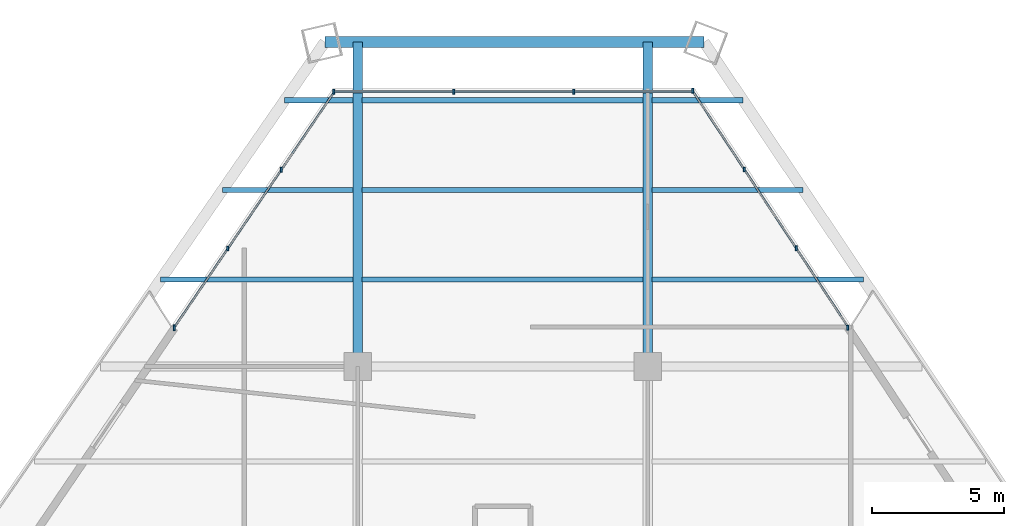
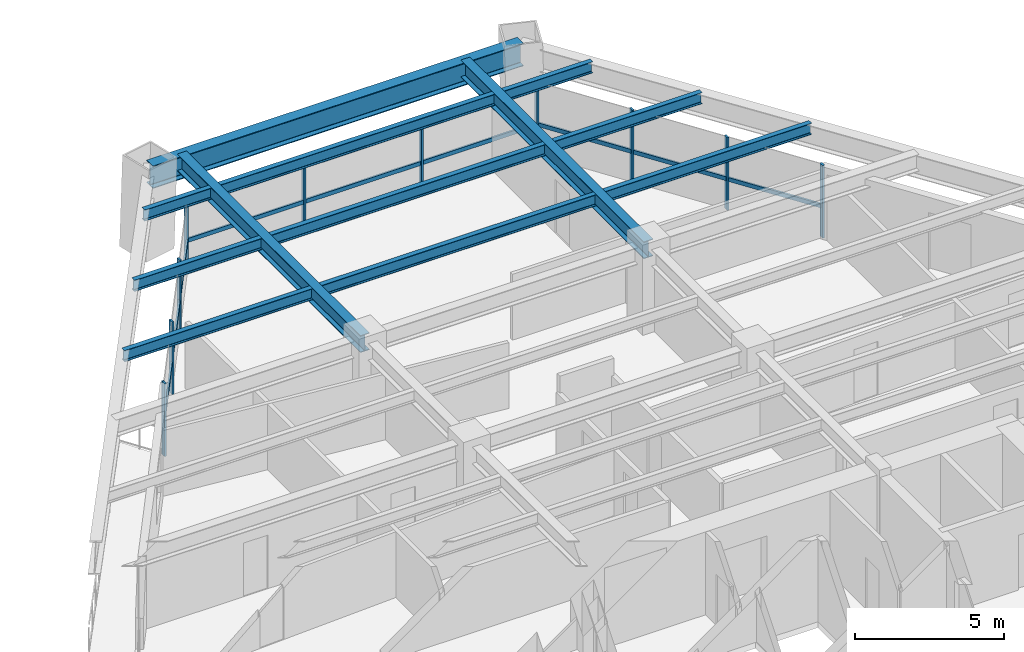
# One storey, part 8 of 14: 20 members, 12 beams, 3 elements without a shape of their own.
"""IFC4 building model written with IfcOpenShell, lengths in metres."""

import ifcopenshell
import ifcopenshell.guid

model = None  # the IFC model being written
_history = None  # IfcOwnerHistory: only IFC2X3 demands one
_inside = {}  # id of a spatial element -> (the spatial element, [elements in it])
_under = {}  # id of a project, library or spatial element -> (it, [spatial elements below it])
_declared = {}  # id of a project -> (the project, [libraries it declares])
_typed = {}  # id of a type object -> (the type object, [elements of that type])
_made_of = {}  # id of a material, layer set ... -> (it, [elements and type objects made of it])


def new_model(schema):
    """Start an empty IFC model of exactly this schema.

    Asked for "IFC4X3", IfcOpenShell would pick the latest addendum, in which some entities
    have other attributes; the version numbers below select the first issue.
    IFC2X3 requires an IfcOwnerHistory on every rooted entity: one is made here for all.
    """
    global model, _history
    if schema == "IFC4X3":
        model = ifcopenshell.file(schema_version=(4, 3, 0, 0))
    else:
        model = ifcopenshell.file(schema=schema)
    _inside.clear()
    _under.clear()
    _declared.clear()
    _typed.clear()
    _made_of.clear()
    _history = None
    if model.schema == "IFC2X3":
        org = make("IfcOrganization", Name="unknown")
        user = make(
            "IfcPersonAndOrganization",
            ThePerson=make("IfcPerson", FamilyName="unknown"),
            TheOrganization=org,
        )
        app = make(
            "IfcApplication",
            ApplicationDeveloper=org,
            Version="unknown",
            ApplicationFullName="unknown",
            ApplicationIdentifier="unknown",
        )
        _history = make(
            "IfcOwnerHistory",
            OwningUser=user,
            OwningApplication=app,
            ChangeAction="ADDED",
            CreationDate=0,
        )
    return model


def make(cls, **values):
    """One entity of the class cls with the attributes given. An attribute that is None is left unset."""
    return model.create_entity(
        cls, **{name: value for name, value in values.items() if value is not None}
    )


def rooted(cls, **values):
    """An entity with a GlobalId (a new one), such as an element, a storey or a relation."""
    return make(cls, GlobalId=ifcopenshell.guid.new(), OwnerHistory=_history, **values)


def si_unit(unit_type, name, prefix=None):
    """IfcSIUnit, for example si_unit("LENGTHUNIT", "METRE", prefix="MILLI")."""
    return make("IfcSIUnit", UnitType=unit_type, Prefix=prefix, Name=name)


def assignment(units):
    """IfcUnitAssignment: the units of a project."""
    return None if units is None else make("IfcUnitAssignment", Units=units)


def point(xyz):
    """IfcCartesianPoint."""
    return None if xyz is None else make("IfcCartesianPoint", Coordinates=xyz)


def direction(xyz):
    """IfcDirection."""
    return None if xyz is None else make("IfcDirection", DirectionRatios=xyz)


def frame(location, z_axis=None, x_axis=None):
    """IfcAxis2Placement3D, a coordinate frame: its origin and axes. An axis left out is left unset."""
    return make(
        "IfcAxis2Placement3D",
        Location=point(location),
        Axis=direction(z_axis),
        RefDirection=direction(x_axis),
    )


def frame_2d(location, x_axis=None):
    """IfcAxis2Placement2D, a coordinate frame in the plane: its origin and x axis."""
    return make(
        "IfcAxis2Placement2D", Location=point(location), RefDirection=direction(x_axis)
    )


def origin():
    """The frame at (0, 0, 0) with its axes left unset."""
    return frame((0.0, 0.0, 0.0))


def origin_2d():
    """The frame at (0, 0) in the plane with its x axis left unset."""
    return frame_2d((0.0, 0.0))


def place(relative_to, where):
    """IfcLocalPlacement: puts the frame where relative to a parent placement (None: the world)."""
    return make(
        "IfcLocalPlacement", PlacementRelTo=relative_to, RelativePlacement=where
    )


def context(
    kind, dimensions, precision=None, world=None, true_north=None, identifier=None
):
    """IfcGeometricRepresentationContext, for example the 3D "Model" context."""
    return make(
        "IfcGeometricRepresentationContext",
        ContextIdentifier=identifier,
        ContextType=kind,
        CoordinateSpaceDimension=dimensions,
        Precision=precision,
        WorldCoordinateSystem=world,
        TrueNorth=true_north,
    )


def subcontext(parent, identifier, kind, view, scale=None):
    """IfcGeometricRepresentationSubContext, for example "Body" below "Model"."""
    return make(
        "IfcGeometricRepresentationSubContext",
        ContextIdentifier=identifier,
        ContextType=kind,
        ParentContext=parent,
        TargetScale=scale,
        TargetView=view,
    )


def project(units=None, contexts=None):
    """IfcProject with its units and contexts."""
    return rooted(
        "IfcProject",
        Name="project",
        RepresentationContexts=contexts,
        UnitsInContext=assignment(units),
    )


def spatial(cls, under=None, at=None, **own):
    """A site, building, storey or space (cls), placed at a placement, below another one or the project."""
    s = rooted(cls, ObjectPlacement=at, **own)
    if under is not None:
        _under.setdefault(under.id(), (under, []))[1].append(s)
    return s


def profile(cls, at=None, kind="AREA", **sizes):
    """A parametric profile (cls). Its sizes go by their IFC names, for example OverallWidth=200.0."""
    return make(cls, ProfileType=kind, Position=at, **sizes)


def rectangle(**sizes):
    """IfcRectangleProfileDef."""
    return profile("IfcRectangleProfileDef", **sizes)


def i_section(**sizes):
    """IfcIShapeProfileDef."""
    return profile("IfcIShapeProfileDef", **sizes)


def extrude(swept, where, along, depth):
    """IfcExtrudedAreaSolid: the profile swept, set in the frame where, extruded along a direction by depth."""
    return make(
        "IfcExtrudedAreaSolid",
        SweptArea=swept,
        Position=where,
        ExtrudedDirection=direction(along),
        Depth=depth,
    )


def shape(context_of_items, identifier, shape_type, items):
    """IfcShapeRepresentation: the items that make up one representation, for example the "Body"."""
    return make(
        "IfcShapeRepresentation",
        ContextOfItems=context_of_items,
        RepresentationIdentifier=identifier,
        RepresentationType=shape_type,
        Items=items,
    )


def source(mapping_origin, context_of_items, identifier, shape_type, items):
    """IfcRepresentationMap: a shape defined once, which mapped items show again and again."""
    return make(
        "IfcRepresentationMap",
        MappingOrigin=mapping_origin,
        MappedRepresentation=shape(context_of_items, identifier, shape_type, items),
    )


def transform(
    local_origin,
    x_axis=None,
    y_axis=None,
    z_axis=None,
    scale=None,
    scale2=None,
    scale3=None,
    uniform=True,
):
    """IfcCartesianTransformationOperator3D, or its non-uniform kind. x_axis, y_axis, z_axis: its Axis1, 2, 3."""
    if uniform:
        return make(
            "IfcCartesianTransformationOperator3D",
            Axis1=direction(x_axis),
            Axis2=direction(y_axis),
            LocalOrigin=point(local_origin),
            Scale=scale,
            Axis3=direction(z_axis),
        )
    return make(
        "IfcCartesianTransformationOperator3DnonUniform",
        Axis1=direction(x_axis),
        Axis2=direction(y_axis),
        LocalOrigin=point(local_origin),
        Scale=scale,
        Axis3=direction(z_axis),
        Scale2=scale2,
        Scale3=scale3,
    )


def mapped(mapping_source, mapping_target):
    """IfcMappedItem: shows the shape of a source again, moved by a transform."""
    return make(
        "IfcMappedItem", MappingSource=mapping_source, MappingTarget=mapping_target
    )


def material(Name=None, Category=None):
    """IfcMaterial."""
    return make("IfcMaterial", Name=Name, Category=Category)


def material_profile(
    of_material, cross_section, Name=None, Category=None, Priority=None
):
    """IfcMaterialProfile: a cross section and its material."""
    return make(
        "IfcMaterialProfile",
        Name=Name,
        Material=of_material,
        Profile=cross_section,
        Priority=Priority,
        Category=Category,
    )


def profile_set(profiles, Name=None, composite=None):
    """IfcMaterialProfileSet."""
    return make(
        "IfcMaterialProfileSet",
        Name=Name,
        MaterialProfiles=profiles,
        CompositeProfile=composite,
    )


def made_of(thing, what):
    """Note that an element or type object is made of a material, layer set ...; save() writes the relation."""
    if what is not None:
        _made_of.setdefault(what.id(), (what, []))[1].append(thing)
    return thing


def type_object(cls, material=None, **own):
    """A type object (cls), such as IfcWallType, which elements share."""
    return made_of(rooted(cls, **own), material)


def element(
    cls,
    number,
    at=None,
    inside=None,
    cuts=None,
    type_object=None,
    material=None,
    context=None,
    identifier="Body",
    shape_type=None,
    held_by="IfcProductDefinitionShape",
    body=None,
    shapes=None,
    **own,
):
    """One element of the class cls, such as IfcWall. Its Tag is "e" and its number.

    at: its placement. inside: the storey or other place that contains it. cuts: it is an
    opening in that element (IfcRelVoidsElement). A single representation is given by context,
    identifier, shape_type and body (its items); several are given by shapes. held_by: the class
    of the entity that holds the representations. save() writes the other relations.
    """
    e = rooted(cls, Tag="e%d" % number, ObjectPlacement=at, **own)
    if body is not None:
        shapes = [shape(context, identifier, shape_type, body)]
    if shapes is not None:
        e.Representation = make(held_by, Representations=shapes)
    if inside is not None:
        _inside.setdefault(inside.id(), (inside, []))[1].append(e)
    if cuts is not None:
        rooted(
            "IfcRelVoidsElement", RelatingBuildingElement=cuts, RelatedOpeningElement=e
        )
    if type_object is not None:
        _typed.setdefault(type_object.id(), (type_object, []))[1].append(e)
    return made_of(e, material)


def aggregate(whole, parts):
    """IfcRelAggregates: a whole, such as a stair, and the parts it consists of."""
    return rooted("IfcRelAggregates", RelatingObject=whole, RelatedObjects=parts)


def save(model, path):
    """Write the relations noted so far, then the file.

    IfcRelAggregates (storeys below a building ...), IfcRelContainedInSpatialStructure (elements
    in a storey), IfcRelDefinesByType, IfcRelAssociatesMaterial and IfcRelDeclares: one each for
    every whole, place, type object, material and project.
    """
    for whole, parts in _under.values():
        aggregate(whole, parts)
    for where, things in _inside.values():
        rooted(
            "IfcRelContainedInSpatialStructure",
            RelatedElements=things,
            RelatingStructure=where,
        )
    for kind, things in _typed.values():
        rooted("IfcRelDefinesByType", RelatedObjects=things, RelatingType=kind)
    for what, things in _made_of.values():
        rooted("IfcRelAssociatesMaterial", RelatedObjects=things, RelatingMaterial=what)
    for by, libraries in _declared.values():
        rooted("IfcRelDeclares", RelatingContext=by, RelatedDefinitions=libraries)
    model.write(path)


model = new_model("IFC4")

# Units and contexts
model_context = context("Model", 3, precision=1e-05, world=origin(), true_north=direction((0.0, 1.0)))
body_context = subcontext(model_context, "Body", "Model", "MODEL_VIEW")
ifc_project = project(units=[si_unit("LENGTHUNIT", "METRE"), si_unit("AREAUNIT", "SQUARE_METRE"), si_unit("VOLUMEUNIT", "CUBIC_METRE"), si_unit("PLANEANGLEUNIT", "RADIAN"), si_unit("MASSUNIT", "GRAM", prefix="KILO")], contexts=[model_context])

# Site, building, storey
site_placement = place(None, origin())
site = spatial("IfcSite", under=ifc_project, at=site_placement, CompositionType="ELEMENT")
building_placement = place(site_placement, origin())
building = spatial("IfcBuilding", under=site, at=building_placement, Name="Varnakhor Terracotta Tower", CompositionType="ELEMENT")
storey_placement = place(building_placement, frame((0.0, 0.0, 68.199951171875)))
storey = spatial("IfcBuildingStorey", under=building, at=storey_placement, Name="L16", CompositionType="ELEMENT", Elevation=68.199951171875)

# Beams
ifc_material_1 = material(Name="Steel S355", Category="steel")
ifc_material_profile_1 = material_profile(ifc_material_1, i_section(OverallWidth=0.19189453125, OverallDepth=0.462890625, WebThickness=0.010498046875, FlangeThickness=0.017578125, FilletRadius=0.01806640625, at=origin_2d()), Name="W18X60")
ifc_profile_set_1 = profile_set([ifc_material_profile_1], Name="Steel S355")
beam_type_1 = type_object("IfcBeamType", Name="JST-W18X60", PredefinedType="JOIST", material=ifc_profile_set_1)
shared_shape_1 = source(origin(), body_context, "Body", "SweptSolid", [
    extrude(i_section(OverallWidth=0.19189453125, OverallDepth=0.462890625, WebThickness=0.010498046875, FlangeThickness=0.017578125, FilletRadius=0.01806640625, at=origin_2d()), origin(), (0.0, 0.0, 1.0), 10.65283203125),
])
for number, where, z_axis, x_axis, name in (
    (1, (-5.326416015625, 34.800048828125, 3.16845703125), (1.0, 0.0, 0.0), (0.0, 1.0, 0.0), "L16 Composite Floor Joist 7-2"),
    (2, (-5.326416015625, 38.199951171875, 3.16845703125), (1.0, 0.0, 0.0), (0.0, 1.0, 0.0), "L16 Composite Floor Joist 8-2"),
    (3, (-5.326416015625, 41.60009765625, 3.16845703125), (1.0, 0.0, 0.0), (0.0, 1.0, 0.0), "L16 Composite Floor Joist 9-2"),
):
    element("IfcBeam", number, at=place(storey_placement, frame(where, z_axis=z_axis, x_axis=x_axis)), inside=storey, type_object=beam_type_1, Name=name, PredefinedType="JOIST", context=body_context, shape_type="MappedRepresentation", body=[
        mapped(shared_shape_1, transform((0.0, 0.0, 0.0), scale=1.0)),
    ])
ifc_material_profile_2 = material_profile(ifc_material_1, i_section(OverallWidth=0.41796875, OverallDepth=0.927001953125, WebThickness=0.01904296875, FlangeThickness=0.031982421875, FilletRadius=0.01806640625, at=origin_2d()), Name="W36X231")
ifc_profile_set_2 = profile_set([ifc_material_profile_2], Name="Steel S355")
beam_type_2 = type_object("IfcBeamType", Name="BM-W36X231", PredefinedType="BEAM", material=ifc_profile_set_2)
shared_shape_2 = source(origin(), body_context, "Body", "SweptSolid", [
    extrude(i_section(OverallWidth=0.41796875, OverallDepth=0.927001953125, WebThickness=0.01904296875, FlangeThickness=0.031982421875, FilletRadius=0.01806640625, at=origin_2d()), origin(), (0.0, 0.0, 1.0), 14.38134765625),
])
beam_1_placement = place(storey_placement, frame((7.637451171875, 43.8056640625, 2.9365234375), z_axis=(-1.0, 0.0, 0.0), x_axis=(0.0, -1.0, 0.0)))
element("IfcBeam", 4, at=beam_1_placement, inside=storey, type_object=beam_type_2, Name="L16 Perimeter Spandrel 5", PredefinedType="BEAM", context=body_context, shape_type="MappedRepresentation", body=[
    mapped(shared_shape_2, transform((0.0, 0.0, 0.0), scale=1.0)),
])
ifc_material_profile_3 = material_profile(ifc_material_1, i_section(OverallWidth=0.35498046875, OverallDepth=0.695068359375, WebThickness=0.014892578125, FlangeThickness=0.02490234375, FilletRadius=0.01806640625, at=origin_2d()), Name="W27X146")
ifc_profile_set_3 = profile_set([ifc_material_profile_3], Name="Steel S355")
beam_type_3 = type_object("IfcBeamType", Name="BM-W27X146", PredefinedType="BEAM", material=ifc_profile_set_3)
shared_shape_3 = source(origin(), body_context, "Body", "SweptSolid", [
    extrude(i_section(OverallWidth=0.35498046875, OverallDepth=0.695068359375, WebThickness=0.014892578125, FlangeThickness=0.02490234375, FilletRadius=0.01806640625, at=origin_2d()), origin(), (0.0, 0.0, 1.0), 12.3056640625),
])
for number, where, z_axis, x_axis, name in (
    (5, (-5.5, 31.5, 3.052490234375), (0.0, 1.0, 0.0), (-1.0, 0.0, 0.0), "L16 Primary Girder NS3-W"),
    (6, (5.5, 31.5, 3.052490234375), (0.0, 1.0, 0.0), (-1.0, 0.0, 0.0), "L16 Primary Girder NS3-E"),
):
    element("IfcBeam", number, at=place(storey_placement, frame(where, z_axis=z_axis, x_axis=x_axis)), inside=storey, type_object=beam_type_3, Name=name, PredefinedType="BEAM", context=body_context, shape_type="MappedRepresentation", body=[
        mapped(shared_shape_3, transform((0.0, 0.0, 0.0), scale=1.0)),
    ])
shared_shape_4 = source(origin(), body_context, "Body", "SweptSolid", [
    extrude(i_section(OverallWidth=0.19189453125, OverallDepth=0.462890625, WebThickness=0.010498046875, FlangeThickness=0.017578125, FilletRadius=0.01806640625, at=origin_2d()), origin(), (0.0, 0.0, 1.0), 7.30224609375),
])
beam_2_placement = place(storey_placement, frame((-12.975830078125, 34.800048828125, 3.16845703125), z_axis=(1.0, 0.0, 0.0), x_axis=(0.0, 1.0, 0.0)))
element("IfcBeam", 7, at=beam_2_placement, inside=storey, type_object=beam_type_1, Name="L16 Composite Floor Joist 7-1", PredefinedType="JOIST", context=body_context, shape_type="MappedRepresentation", body=[
    mapped(shared_shape_4, transform((0.0, 0.0, 0.0), scale=1.0)),
])
shared_shape_5 = source(origin(), body_context, "Body", "SweptSolid", [
    extrude(i_section(OverallWidth=0.19189453125, OverallDepth=0.462890625, WebThickness=0.010498046875, FlangeThickness=0.017578125, FilletRadius=0.01806640625, at=origin_2d()), origin(), (0.0, 0.0, 1.0), 8.01220703125),
])
beam_3_placement = place(storey_placement, frame((5.673583984375, 34.800048828125, 3.16845703125), z_axis=(1.0, 0.0, 0.0), x_axis=(0.0, 1.0, 0.0)))
element("IfcBeam", 8, at=beam_3_placement, inside=storey, type_object=beam_type_1, Name="L16 Composite Floor Joist 7-3", PredefinedType="JOIST", context=body_context, shape_type="MappedRepresentation", body=[
    mapped(shared_shape_5, transform((0.0, 0.0, 0.0), scale=1.0)),
])
shared_shape_6 = source(origin(), body_context, "Body", "SweptSolid", [
    extrude(i_section(OverallWidth=0.19189453125, OverallDepth=0.462890625, WebThickness=0.010498046875, FlangeThickness=0.017578125, FilletRadius=0.01806640625, at=origin_2d()), origin(), (0.0, 0.0, 1.0), 4.949462890625),
])
beam_4_placement = place(storey_placement, frame((-10.623046875, 38.199951171875, 3.16845703125), z_axis=(1.0, 0.0, 0.0), x_axis=(0.0, 1.0, 0.0)))
element("IfcBeam", 9, at=beam_4_placement, inside=storey, type_object=beam_type_1, Name="L16 Composite Floor Joist 8-1", PredefinedType="JOIST", context=body_context, shape_type="MappedRepresentation", body=[
    mapped(shared_shape_6, transform((0.0, 0.0, 0.0), scale=1.0)),
])
shared_shape_7 = source(origin(), body_context, "Body", "SweptSolid", [
    extrude(i_section(OverallWidth=0.19189453125, OverallDepth=0.462890625, WebThickness=0.010498046875, FlangeThickness=0.017578125, FilletRadius=0.01806640625, at=origin_2d()), origin(), (0.0, 0.0, 1.0), 5.728759765625),
])
beam_5_placement = place(storey_placement, frame((5.673583984375, 38.199951171875, 3.16845703125), z_axis=(1.0, 0.0, 0.0), x_axis=(0.0, 1.0, 0.0)))
element("IfcBeam", 10, at=beam_5_placement, inside=storey, type_object=beam_type_1, Name="L16 Composite Floor Joist 8-3", PredefinedType="JOIST", context=body_context, shape_type="MappedRepresentation", body=[
    mapped(shared_shape_7, transform((0.0, 0.0, 0.0), scale=1.0)),
])
shared_shape_8 = source(origin(), body_context, "Body", "SweptSolid", [
    extrude(i_section(OverallWidth=0.19189453125, OverallDepth=0.462890625, WebThickness=0.010498046875, FlangeThickness=0.017578125, FilletRadius=0.01806640625, at=origin_2d()), origin(), (0.0, 0.0, 1.0), 2.596435546875),
])
beam_6_placement = place(storey_placement, frame((-8.27001953125, 41.60009765625, 3.16845703125), z_axis=(1.0, 0.0, 0.0), x_axis=(0.0, 1.0, 0.0)))
element("IfcBeam", 11, at=beam_6_placement, inside=storey, type_object=beam_type_1, Name="L16 Composite Floor Joist 9-1", PredefinedType="JOIST", context=body_context, shape_type="MappedRepresentation", body=[
    mapped(shared_shape_8, transform((0.0, 0.0, 0.0), scale=1.0)),
])
shared_shape_9 = source(origin(), body_context, "Body", "SweptSolid", [
    extrude(i_section(OverallWidth=0.19189453125, OverallDepth=0.462890625, WebThickness=0.010498046875, FlangeThickness=0.017578125, FilletRadius=0.01806640625, at=origin_2d()), origin(), (0.0, 0.0, 1.0), 3.4453125),
])
beam_7_placement = place(storey_placement, frame((5.673583984375, 41.60009765625, 3.16845703125), z_axis=(1.0, 0.0, 0.0), x_axis=(0.0, 1.0, 0.0)))
element("IfcBeam", 12, at=beam_7_placement, inside=storey, type_object=beam_type_1, Name="L16 Composite Floor Joist 9-3", PredefinedType="JOIST", context=body_context, shape_type="MappedRepresentation", body=[
    mapped(shared_shape_9, transform((0.0, 0.0, 0.0), scale=1.0)),
])

# Curtain wall, members
ifc_material_2 = material(Name="Anodised Aluminium Curtain Wall System", Category="aluminium")
curtain_wall_type = type_object("IfcCurtainWallType", Name="CW-SYS-LOW-OFFICE", PredefinedType="NOTDEFINED", material=ifc_material_2)
curtain_wall_1_placement = place(storey_placement, origin())
curtain_wall_1 = element("IfcCurtainWall", 13, at=curtain_wall_1_placement, inside=storey, type_object=curtain_wall_type, Name="L16 W Facet Curtain Wall 2", PredefinedType="NOTDEFINED")
ifc_material_3 = material(Name="Anodised Aluminium 6063-T6", Category="aluminium")
ifc_material_profile_4 = material_profile(ifc_material_3, rectangle(XDim=0.074951171875, YDim=0.18505859375, at=origin_2d()), Name="ALU MULLION 75x185")
ifc_profile_set_4 = profile_set([ifc_material_profile_4], Name="Anodised Aluminium 6063-T6")
member_type_1 = type_object("IfcMemberType", Name="CWM-02", PredefinedType="MULLION", material=ifc_profile_set_4)
shared_shape_10 = source(origin(), body_context, "Body", "SweptSolid", [
    extrude(rectangle(XDim=0.074951171875, YDim=0.18505859375, at=origin_2d()), origin(), (0.0, 0.0, 1.0), 2.97998046875),
])
member_1_placement = place(storey_placement, frame((-12.4501953125, 32.989013671875, 0.0), z_axis=(0.0, 0.0, 1.0), x_axis=(1.0, 0.0, 0.0)))
member_1 = element("IfcMember", 14, at=member_1_placement, type_object=member_type_1, Name="L16 W Facet Curtain Wall 2 Mullion 1", PredefinedType="MULLION", context=body_context, shape_type="MappedRepresentation", body=[
    mapped(shared_shape_10, transform((0.0, 0.0, 0.0), scale=1.0)),
])
member_2_placement = place(storey_placement, frame((-10.421142578125, 35.9775390625, 0.0), z_axis=(0.0, 0.0, 1.0), x_axis=(1.0, 0.0, 0.0)))
member_2 = element("IfcMember", 15, at=member_2_placement, type_object=member_type_1, Name="L16 W Facet Curtain Wall 2 Mullion 2", PredefinedType="MULLION", context=body_context, shape_type="MappedRepresentation", body=[
    mapped(shared_shape_10, transform((0.0, 0.0, 0.0), scale=1.0)),
])
member_3_placement = place(storey_placement, frame((-8.39208984375, 38.966064453125, 0.0), z_axis=(0.0, 0.0, 1.0), x_axis=(1.0, 0.0, 0.0)))
member_3 = element("IfcMember", 16, at=member_3_placement, type_object=member_type_1, Name="L16 W Facet Curtain Wall 2 Mullion 3", PredefinedType="MULLION", context=body_context, shape_type="MappedRepresentation", body=[
    mapped(shared_shape_10, transform((0.0, 0.0, 0.0), scale=1.0)),
])
member_4_placement = place(storey_placement, frame((-12.45068359375, 32.953125, 0.0), z_axis=(0.0, 0.0, 1.0), x_axis=(1.0, 0.0, 0.0)))
member_4 = element("IfcMember", 17, at=member_4_placement, type_object=member_type_1, Name="L16 W Loggia Jamb Closure Mullion 2", PredefinedType="MULLION", context=body_context, shape_type="MappedRepresentation", body=[
    mapped(shared_shape_10, transform((0.0, 0.0, 0.0), scale=1.0)),
])

curtain_wall_2_placement = place(storey_placement, origin())
curtain_wall_2 = element("IfcCurtainWall", 18, at=curtain_wall_2_placement, inside=storey, type_object=curtain_wall_type, Name="L16 Facet Curtain Wall 2", PredefinedType="NOTDEFINED")
member_5_placement = place(storey_placement, frame((-6.415283203125, 41.9267578125, 0.0), z_axis=(0.0, 0.0, 1.0), x_axis=(1.0, 0.0, 0.0)))
member_5 = element("IfcMember", 19, at=member_5_placement, type_object=member_type_1, Name="L16 Facet Curtain Wall 2 Mullion 1", PredefinedType="MULLION", context=body_context, shape_type="MappedRepresentation", body=[
    mapped(shared_shape_10, transform((0.0, 0.0, 0.0), scale=1.0)),
])
member_6_placement = place(storey_placement, frame((-1.85791015625, 41.9267578125, 0.0), z_axis=(0.0, 0.0, 1.0), x_axis=(1.0, 0.0, 0.0)))
member_6 = element("IfcMember", 20, at=member_6_placement, type_object=member_type_1, Name="L16 Facet Curtain Wall 2 Mullion 2", PredefinedType="MULLION", context=body_context, shape_type="MappedRepresentation", body=[
    mapped(shared_shape_10, transform((0.0, 0.0, 0.0), scale=1.0)),
])
member_7_placement = place(storey_placement, frame((2.699462890625, 41.9267578125, 0.0), z_axis=(0.0, 0.0, 1.0), x_axis=(1.0, 0.0, 0.0)))
member_7 = element("IfcMember", 21, at=member_7_placement, type_object=member_type_1, Name="L16 Facet Curtain Wall 2 Mullion 3", PredefinedType="MULLION", context=body_context, shape_type="MappedRepresentation", body=[
    mapped(shared_shape_10, transform((0.0, 0.0, 0.0), scale=1.0)),
])

curtain_wall_3_placement = place(storey_placement, origin())
curtain_wall_3 = element("IfcCurtainWall", 22, at=curtain_wall_3_placement, inside=storey, type_object=curtain_wall_type, Name="L16 E Facet Curtain Wall 1", PredefinedType="NOTDEFINED")
member_8_placement = place(storey_placement, frame((7.203125, 41.955810546875, 0.0), z_axis=(0.0, 0.0, 1.0), x_axis=(1.0, 0.0, 0.0)))
member_8 = element("IfcMember", 23, at=member_8_placement, type_object=member_type_1, Name="L16 E Facet Curtain Wall 1 Mullion 1", PredefinedType="MULLION", context=body_context, shape_type="MappedRepresentation", body=[
    mapped(shared_shape_10, transform((0.0, 0.0, 0.0), scale=1.0)),
])
member_9_placement = place(storey_placement, frame((9.16796875, 38.97412109375, 0.0), z_axis=(0.0, 0.0, 1.0), x_axis=(1.0, 0.0, 0.0)))
member_9 = element("IfcMember", 24, at=member_9_placement, type_object=member_type_1, Name="L16 E Facet Curtain Wall 1 Mullion 2", PredefinedType="MULLION", context=body_context, shape_type="MappedRepresentation", body=[
    mapped(shared_shape_10, transform((0.0, 0.0, 0.0), scale=1.0)),
])
member_10_placement = place(storey_placement, frame((11.132568359375, 35.99267578125, 0.0), z_axis=(0.0, 0.0, 1.0), x_axis=(1.0, 0.0, 0.0)))
member_10 = element("IfcMember", 25, at=member_10_placement, type_object=member_type_1, Name="L16 E Facet Curtain Wall 1 Mullion 3", PredefinedType="MULLION", context=body_context, shape_type="MappedRepresentation", body=[
    mapped(shared_shape_10, transform((0.0, 0.0, 0.0), scale=1.0)),
])
member_11_placement = place(storey_placement, frame((13.09716796875, 32.97509765625, 0.0), z_axis=(0.0, 0.0, 1.0), x_axis=(1.0, 0.0, 0.0)))
member_11 = element("IfcMember", 26, at=member_11_placement, type_object=member_type_1, Name="L16 E Loggia Jamb Closure Mullion 1", PredefinedType="MULLION", context=body_context, shape_type="MappedRepresentation", body=[
    mapped(shared_shape_10, transform((0.0, 0.0, 0.0), scale=1.0)),
])

# Member
ifc_material_profile_5 = material_profile(ifc_material_3, rectangle(XDim=0.074951171875, YDim=0.1650390625, at=origin_2d()), Name="ALU TRANSOM 75x165")
ifc_profile_set_5 = profile_set([ifc_material_profile_5], Name="Anodised Aluminium 6063-T6")
member_type_2 = type_object("IfcMemberType", Name="CWT-02", PredefinedType="USERDEFINED", material=ifc_profile_set_5)
shared_shape_11 = source(origin(), body_context, "Body", "SweptSolid", [
    extrude(rectangle(XDim=0.074951171875, YDim=0.1650390625, at=origin_2d()), origin(), (0.0, 0.0, 1.0), 3.6123046875),
])
member_12_placement = place(storey_placement, frame((-12.4501953125, 32.989013671875, 1.251708984375), z_axis=(0.561714608285, 0.827331069669, 0.0), x_axis=(-0.827331069669, 0.561714608285, 0.0)))
member_12 = element("IfcMember", 27, at=member_12_placement, type_object=member_type_2, Name="L16 W Facet Curtain Wall 2 Transom 1", ObjectType="TRANSOM", PredefinedType="USERDEFINED", context=body_context, shape_type="MappedRepresentation", body=[
    mapped(shared_shape_11, transform((0.0, 0.0, 0.0), scale=1.0)),
])

member_13_placement = place(storey_placement, frame((-10.421142578125, 35.9775390625, 1.251708984375), z_axis=(0.561714608285, 0.827331069669, 0.0), x_axis=(-0.827331069669, 0.561714608285, 0.0)))
member_13 = element("IfcMember", 28, at=member_13_placement, type_object=member_type_2, Name="L16 W Facet Curtain Wall 2 Transom 2", ObjectType="TRANSOM", PredefinedType="USERDEFINED", context=body_context, shape_type="MappedRepresentation", body=[
    mapped(shared_shape_11, transform((0.0, 0.0, 0.0), scale=1.0)),
])

member_14_placement = place(storey_placement, frame((-8.39208984375, 38.966064453125, 1.251708984375), z_axis=(0.561760867299, 0.827299660323, 0.0), x_axis=(-0.827299660323, 0.561760867299, 0.0)))
member_14 = element("IfcMember", 29, at=member_14_placement, type_object=member_type_2, Name="L16 W Facet Curtain Wall 2 Transom 3", ObjectType="TRANSOM", PredefinedType="USERDEFINED", context=body_context, shape_type="MappedRepresentation", body=[
    mapped(shared_shape_11, transform((0.0, 0.0, 0.0), scale=1.0)),
])

aggregate(curtain_wall_1, [member_1, member_12, member_2, member_13, member_3, member_14, member_4])

shared_shape_12 = source(origin(), body_context, "Body", "SweptSolid", [
    extrude(rectangle(XDim=0.074951171875, YDim=0.1650390625, at=origin_2d()), origin(), (0.0, 0.0, 1.0), 4.557373046875),
])
member_15_placement = place(storey_placement, frame((-6.415283203125, 41.9267578125, 1.251708984375), z_axis=(1.0, 0.0, 0.0), x_axis=(0.0, 1.0, 0.0)))
member_15 = element("IfcMember", 30, at=member_15_placement, type_object=member_type_2, Name="L16 Facet Curtain Wall 2 Transom 1", ObjectType="TRANSOM", PredefinedType="USERDEFINED", context=body_context, shape_type="MappedRepresentation", body=[
    mapped(shared_shape_12, transform((0.0, 0.0, 0.0), scale=1.0)),
])

member_16_placement = place(storey_placement, frame((-1.85791015625, 41.9267578125, 1.251708984375), z_axis=(1.0, 0.0, 0.0), x_axis=(0.0, 1.0, 0.0)))
member_16 = element("IfcMember", 31, at=member_16_placement, type_object=member_type_2, Name="L16 Facet Curtain Wall 2 Transom 2", ObjectType="TRANSOM", PredefinedType="USERDEFINED", context=body_context, shape_type="MappedRepresentation", body=[
    mapped(shared_shape_12, transform((0.0, 0.0, 0.0), scale=1.0)),
])

member_17_placement = place(storey_placement, frame((2.699462890625, 41.9267578125, 1.251708984375), z_axis=(1.0, 0.0, 0.0), x_axis=(0.0, 1.0, 0.0)))
member_17 = element("IfcMember", 32, at=member_17_placement, type_object=member_type_2, Name="L16 Facet Curtain Wall 2 Transom 3", ObjectType="TRANSOM", PredefinedType="USERDEFINED", context=body_context, shape_type="MappedRepresentation", body=[
    mapped(shared_shape_12, transform((0.0, 0.0, 0.0), scale=1.0)),
])

aggregate(curtain_wall_2, [member_5, member_15, member_6, member_16, member_7, member_17])

shared_shape_13 = source(origin(), body_context, "Body", "SweptSolid", [
    extrude(rectangle(XDim=0.074951171875, YDim=0.1650390625, at=origin_2d()), origin(), (0.0, 0.0, 1.0), 3.57080078125),
])
member_18_placement = place(storey_placement, frame((7.203125, 41.955810546875, 1.251708984375), z_axis=(0.550242946557, -0.835004610624, 0.0), x_axis=(0.835004610624, 0.550242946557, 0.0)))
member_18 = element("IfcMember", 33, at=member_18_placement, type_object=member_type_2, Name="L16 E Facet Curtain Wall 1 Transom 1", ObjectType="TRANSOM", PredefinedType="USERDEFINED", context=body_context, shape_type="MappedRepresentation", body=[
    mapped(shared_shape_13, transform((0.0, 0.0, 0.0), scale=1.0)),
])

shared_shape_14 = source(origin(), body_context, "Body", "SweptSolid", [
    extrude(rectangle(XDim=0.074951171875, YDim=0.1650390625, at=origin_2d()), origin(), (0.0, 0.0, 1.0), 3.570556640625),
])
member_19_placement = place(storey_placement, frame((9.16796875, 38.97412109375, 1.251708984375), z_axis=(0.550226688044, -0.835015324269, 0.0), x_axis=(0.835015324269, 0.550226688044, 0.0)))
member_19 = element("IfcMember", 34, at=member_19_placement, type_object=member_type_2, Name="L16 E Facet Curtain Wall 1 Transom 2", ObjectType="TRANSOM", PredefinedType="USERDEFINED", context=body_context, shape_type="MappedRepresentation", body=[
    mapped(shared_shape_14, transform((0.0, 0.0, 0.0), scale=1.0)),
])

member_20_placement = place(storey_placement, frame((11.132568359375, 35.99267578125, 1.251708984375), z_axis=(0.550274360995, -0.834983908607, 0.0), x_axis=(0.834983908607, 0.550274360995, 0.0)))
member_20 = element("IfcMember", 35, at=member_20_placement, type_object=member_type_2, Name="L16 E Facet Curtain Wall 1 Transom 3", ObjectType="TRANSOM", PredefinedType="USERDEFINED", context=body_context, shape_type="MappedRepresentation", body=[
    mapped(shared_shape_14, transform((0.0, 0.0, 0.0), scale=1.0)),
])

aggregate(curtain_wall_3, [member_8, member_18, member_9, member_19, member_10, member_20, member_11])

save(model, "model.ifc")
